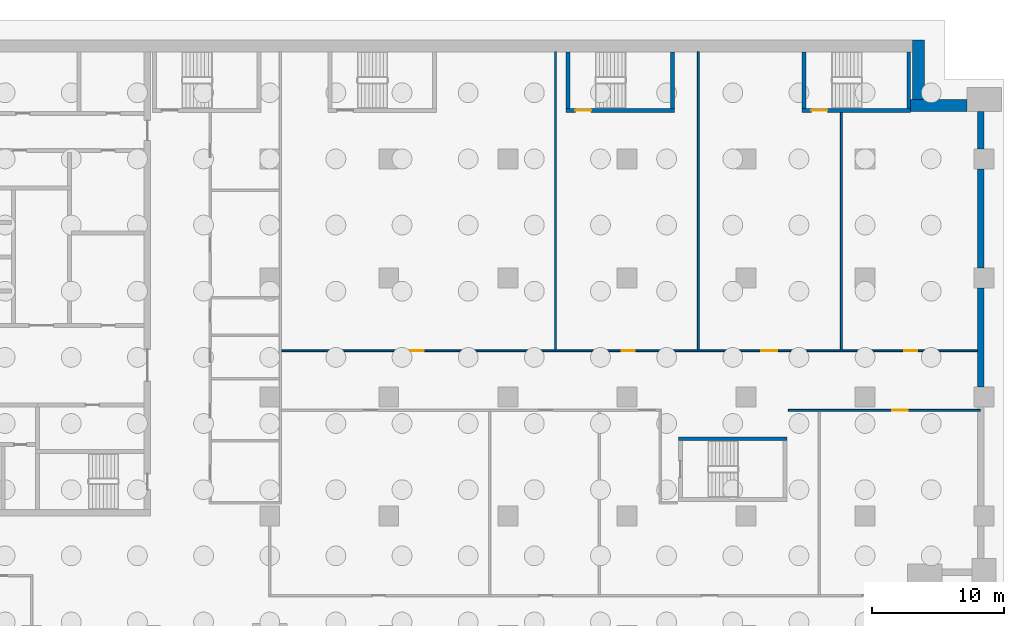
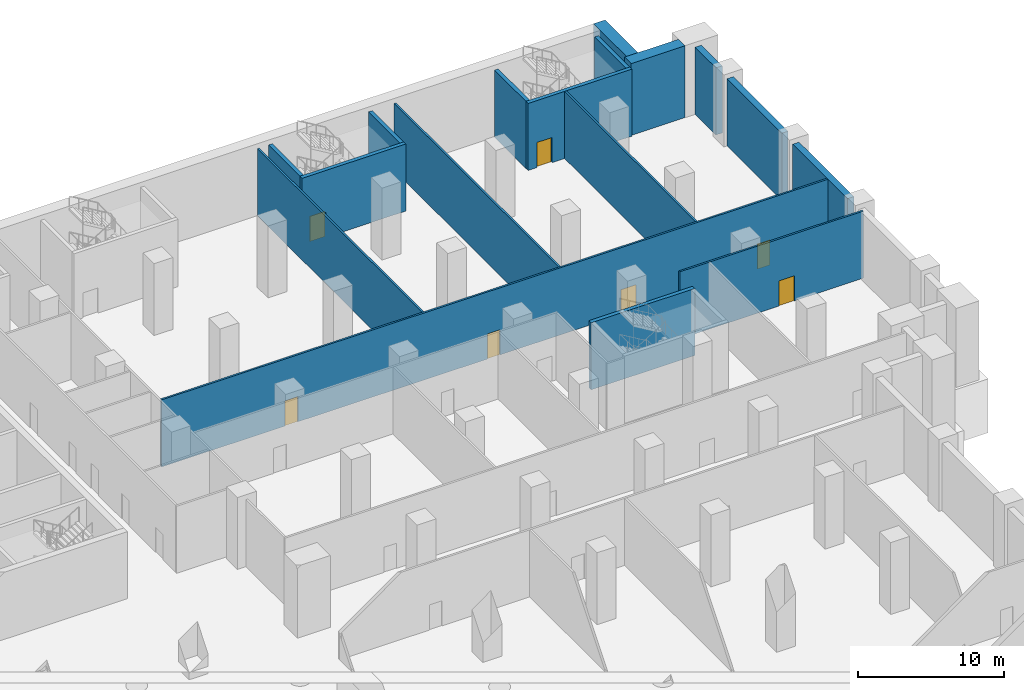
# One storey, part 10 of 25: 17 walls, 7 doors, 7 openings.
"""IFC4 building model written with IfcOpenShell, lengths in metres."""

from ifc_helpers import new_model, si_unit, direction, frame, frame_2d, origin, place, context, subcontext, project, spatial, rectangle, extrude, material, layer, layer_set, type_object, element, fill, save


model = new_model("IFC4")

# Units and contexts
model_context = context("Model", 3, precision=1e-05, world=origin(), true_north=direction((0.0, 1.0)))
body_context = subcontext(model_context, "Body", "Model", "MODEL_VIEW")
ifc_project = project(units=[si_unit("LENGTHUNIT", "METRE"), si_unit("AREAUNIT", "SQUARE_METRE"), si_unit("VOLUMEUNIT", "CUBIC_METRE"), si_unit("PLANEANGLEUNIT", "RADIAN"), si_unit("MASSUNIT", "GRAM", prefix="KILO")], contexts=[model_context])

# Site, building, storey
site_placement = place(None, origin())
site = spatial("IfcSite", under=ifc_project, at=site_placement, CompositionType="ELEMENT")
building_placement = place(site_placement, origin())
building = spatial("IfcBuilding", under=site, at=building_placement, Name="Hunhe Ridgeline Campus", CompositionType="ELEMENT")
storey_placement = place(building_placement, frame((0.0, 0.0, -6.0)))
storey = spatial("IfcBuildingStorey", under=building, at=storey_placement, Name="B1", CompositionType="ELEMENT", Elevation=-6.0)

# Walls
ifc_material_1 = material(Name="Concrete C50", Category="concrete")
ifc_layer_1 = layer(ifc_material_1, 0.5)
ifc_layer_set_1 = layer_set([ifc_layer_1], Name="Basement perimeter wall 500 C50")
wall_type_1 = type_object("IfcWallType", Name="Basement perimeter wall 500 C50", PredefinedType="SOLIDWALL", material=ifc_layer_set_1)
for number, where, z_axis, x_axis, name in (
    (1, (98.75, 72.75, 0.0), (0.0, 0.0, 1.0), (0.0, 1.0, 0.0), "Basement perimeter wall"),
    (2, (98.75, 81.75, 0.0), (0.0, 0.0, 1.0), (0.0, 1.0, 0.0), "Basement perimeter wall"),
):
    element("IfcWall", number, at=place(storey_placement, frame(where, z_axis=z_axis, x_axis=x_axis)), inside=storey, type_object=wall_type_1, Name=name, PredefinedType="SOLIDWALL", context=body_context, shape_type="SweptSolid", body=[
        extrude(rectangle(XDim=7.5, YDim=0.5, at=frame_2d((3.75, 0.0))), origin(), (0.0, 0.0, 1.0), 5.60009765625),
    ])
wall_1_placement = place(storey_placement, frame((98.75, 90.75, 0.0), z_axis=(0.0, 0.0, 1.0), x_axis=(0.0, 1.0, 0.0)))
element("IfcWall", 3, at=wall_1_placement, inside=storey, type_object=wall_type_1, Name="Basement perimeter wall", PredefinedType="SOLIDWALL", context=body_context, shape_type="SweptSolid", body=[
    extrude(rectangle(XDim=2.85009765625, YDim=0.5, at=frame_2d((1.425048828125, 0.0))), origin(), (0.0, 0.0, 1.0), 5.60009765625),
])

# Wall, opening, door
ifc_material_2 = material(Name="Plastered blockwork", Category="masonry")
ifc_layer_2 = layer(ifc_material_2, 0.14990234375)
ifc_layer_set_2 = layer_set([ifc_layer_2], Name="Blockwork partition 150")
wall_type_2 = type_object("IfcWallType", Name="Blockwork partition 150", PredefinedType="PARTITIONING", material=ifc_layer_set_2)
wall_2_placement = place(storey_placement, frame((84.199951171875, 71.0, 0.0), z_axis=(0.0, 0.0, 1.0), x_axis=(1.0, 0.0, 0.0)))
wall_2 = element("IfcWall", 4, at=wall_2_placement, inside=storey, type_object=wall_type_2, Name="B1 partition", PredefinedType="PARTITIONING", context=body_context, shape_type="SweptSolid", body=[
    extrude(rectangle(XDim=14.5, YDim=0.14990234375, at=frame_2d((7.25, 0.0))), origin(), (0.0, 0.0, 1.0), 5.60009765625),
])
opening_1_placement = place(wall_2_placement, frame((7.837890625, 0.0, 0.0)))
opening_1 = element("IfcOpeningElement", 5, at=opening_1_placement, cuts=wall_2, Name="Opening PD040", PredefinedType="OPENING", context=body_context, shape_type="SweptSolid", body=[
    extrude(rectangle(XDim=1.199951171875, YDim=2.10009765625, at=frame_2d((0.60009765625, 1.050048828125))), frame((0.0, 0.074951171875, 0.0), z_axis=(0.0, -1.0, 0.0), x_axis=(1.0, 0.0, 0.0)), (0.0, 0.0, 1.0), 0.14990234375),
])
ifc_material_3 = material(Name="Steel Q235", Category="steel")
door_type_1 = type_object("IfcDoorType", Name="Podium fire door 1200x2100 FD60", OperationType="NOTDEFINED", PredefinedType="DOOR", material=ifc_material_3)
door_1_placement = place(opening_1_placement, origin())
door_1 = element("IfcDoor", 6, at=door_1_placement, inside=storey, type_object=door_type_1, Name="Generator Plant Room door", OperationType="SINGLE_SWING_RIGHT", OverallHeight=2.10009765625, OverallWidth=1.199951171875, PredefinedType="DOOR", context=body_context, shape_type="SweptSolid", body=[
    extrude(rectangle(XDim=1.199951171875, YDim=2.10009765625, at=frame_2d((0.60009765625, 1.050048828125))), frame((0.0, 0.02490234375, 0.0), z_axis=(0.0, -1.0, 0.0), x_axis=(1.0, 0.0, 0.0)), (0.0, 0.0, 1.0), 0.050048828125),
])
fill(opening_1, door_1)

# Wall
wall_3_placement = place(storey_placement, frame((66.60009765625, 75.574951171875, 0.0), z_axis=(0.0, 0.0, 1.0), x_axis=(0.0, 1.0, 0.0)))
element("IfcWall", 7, at=wall_3_placement, inside=storey, type_object=wall_type_2, Name="B1 partition", PredefinedType="PARTITIONING", context=body_context, shape_type="SweptSolid", body=[
    extrude(rectangle(XDim=22.525146484375, YDim=0.14990234375, at=frame_2d((11.2626953125, 0.0))), origin(), (0.0, 0.0, 1.0), 5.60009765625),
])

# Wall, openings, doors
wall_4_placement = place(storey_placement, frame((98.699951171875, 75.5, 0.0), z_axis=(0.0, 0.0, 1.0), x_axis=(-1.0, 0.0, 0.0)))
wall_4 = element("IfcWall", 8, at=wall_4_placement, inside=storey, type_object=wall_type_2, Name="B1 partition", PredefinedType="PARTITIONING", context=body_context, shape_type="SweptSolid", body=[
    extrude(rectangle(XDim=52.824951171875, YDim=0.14990234375, at=frame_2d((26.41259765625, 0.0))), origin(), (0.0, 0.0, 1.0), 5.60009765625),
])
opening_2_placement = place(wall_4_placement, frame((42.074951171875, 0.0, 0.0)))
opening_2 = element("IfcOpeningElement", 9, at=opening_2_placement, cuts=wall_4, Name="Opening PD042", PredefinedType="OPENING", context=body_context, shape_type="SweptSolid", body=[
    extrude(rectangle(XDim=1.0, YDim=2.10009765625, at=frame_2d((0.5, 1.050048828125))), frame((0.0, 0.074951171875, 0.0), z_axis=(0.0, -1.0, 0.0), x_axis=(1.0, 0.0, 0.0)), (0.0, 0.0, 1.0), 0.14990234375),
])
opening_3_placement = place(wall_4_placement, frame((26.10009765625, 0.0, 0.0)))
opening_3 = element("IfcOpeningElement", 10, at=opening_3_placement, cuts=wall_4, Name="Opening PD043", PredefinedType="OPENING", context=body_context, shape_type="SweptSolid", body=[
    extrude(rectangle(XDim=1.0, YDim=2.10009765625, at=frame_2d((0.5, 1.050048828125))), frame((0.0, 0.074951171875, 0.0), z_axis=(0.0, -1.0, 0.0), x_axis=(1.0, 0.0, 0.0)), (0.0, 0.0, 1.0), 0.14990234375),
])
opening_4_placement = place(wall_4_placement, frame((15.35009765625, 0.0, 0.0)))
opening_4 = element("IfcOpeningElement", 11, at=opening_4_placement, cuts=wall_4, Name="Opening PD044", PredefinedType="OPENING", context=body_context, shape_type="SweptSolid", body=[
    extrude(rectangle(XDim=1.199951171875, YDim=2.10009765625, at=frame_2d((0.60009765625, 1.050048828125))), frame((0.0, 0.074951171875, 0.0), z_axis=(0.0, -1.0, 0.0), x_axis=(1.0, 0.0, 0.0)), (0.0, 0.0, 1.0), 0.14990234375),
])
opening_5_placement = place(wall_4_placement, frame((4.75, 0.0, 0.0)))
opening_5 = element("IfcOpeningElement", 12, at=opening_5_placement, cuts=wall_4, Name="Opening PD045", PredefinedType="OPENING", context=body_context, shape_type="SweptSolid", body=[
    extrude(rectangle(XDim=1.0, YDim=2.10009765625, at=frame_2d((0.5, 1.050048828125))), frame((0.0, 0.074951171875, 0.0), z_axis=(0.0, -1.0, 0.0), x_axis=(1.0, 0.0, 0.0)), (0.0, 0.0, 1.0), 0.14990234375),
])
door_2_placement = place(opening_4_placement, origin())
door_2 = element("IfcDoor", 13, at=door_2_placement, inside=storey, type_object=door_type_1, Name="Electrical Switch Room door", OperationType="SINGLE_SWING_LEFT", OverallHeight=2.10009765625, OverallWidth=1.199951171875, PredefinedType="DOOR", context=body_context, shape_type="SweptSolid", body=[
    extrude(rectangle(XDim=1.199951171875, YDim=2.10009765625, at=frame_2d((0.60009765625, 1.050048828125))), frame((0.0, 0.02490234375, 0.0), z_axis=(0.0, -1.0, 0.0), x_axis=(1.0, 0.0, 0.0)), (0.0, 0.0, 1.0), 0.050048828125),
])
fill(opening_4, door_2)
ifc_material_4 = material(Name="Timber", Category="wood")
door_type_2 = type_object("IfcDoorType", Name="Podium timber door 1000x2100", OperationType="NOTDEFINED", PredefinedType="DOOR", material=ifc_material_4)
door_3_placement = place(opening_2_placement, origin())
door_3 = element("IfcDoor", 14, at=door_3_placement, inside=storey, type_object=door_type_2, Name="Delivery Holding Store door", OperationType="SINGLE_SWING_RIGHT", OverallHeight=2.10009765625, OverallWidth=1.0, PredefinedType="DOOR", context=body_context, shape_type="SweptSolid", body=[
    extrude(rectangle(XDim=1.0, YDim=2.10009765625, at=frame_2d((0.5, 1.050048828125))), frame((0.0, 0.02490234375, 0.0), z_axis=(0.0, -1.0, 0.0), x_axis=(1.0, 0.0, 0.0)), (0.0, 0.0, 1.0), 0.050048828125),
])
fill(opening_2, door_3)
door_4_placement = place(opening_3_placement, origin())
door_4 = element("IfcDoor", 15, at=door_4_placement, inside=storey, type_object=door_type_2, Name="Refuse Compaction Room door", OperationType="SINGLE_SWING_RIGHT", OverallHeight=2.10009765625, OverallWidth=1.0, PredefinedType="DOOR", context=body_context, shape_type="SweptSolid", body=[
    extrude(rectangle(XDim=1.0, YDim=2.10009765625, at=frame_2d((0.5, 1.050048828125))), frame((0.0, 0.02490234375, 0.0), z_axis=(0.0, -1.0, 0.0), x_axis=(1.0, 0.0, 0.0)), (0.0, 0.0, 1.0), 0.050048828125),
])
fill(opening_3, door_4)
door_5_placement = place(opening_5_placement, origin())
door_5 = element("IfcDoor", 16, at=door_5_placement, inside=storey, type_object=door_type_2, Name="Records Archive Store door", OperationType="SINGLE_SWING_LEFT", OverallHeight=2.10009765625, OverallWidth=1.0, PredefinedType="DOOR", context=body_context, shape_type="SweptSolid", body=[
    extrude(rectangle(XDim=1.0, YDim=2.10009765625, at=frame_2d((0.5, 1.050048828125))), frame((0.0, 0.02490234375, 0.0), z_axis=(0.0, -1.0, 0.0), x_axis=(1.0, 0.0, 0.0)), (0.0, 0.0, 1.0), 0.050048828125),
])
fill(opening_5, door_5)

# Walls
wall_5_placement = place(storey_placement, frame((77.39990234375, 75.574951171875, 0.0), z_axis=(0.0, 0.0, 1.0), x_axis=(0.0, 1.0, 0.0)))
element("IfcWall", 17, at=wall_5_placement, inside=storey, type_object=wall_type_2, Name="B1 partition", PredefinedType="PARTITIONING", context=body_context, shape_type="SweptSolid", body=[
    extrude(rectangle(XDim=22.525146484375, YDim=0.14990234375, at=frame_2d((11.2626953125, 0.0))), origin(), (0.0, 0.0, 1.0), 5.60009765625),
])
wall_6_placement = place(storey_placement, frame((88.199951171875, 75.574951171875, 0.0), z_axis=(0.0, 0.0, 1.0), x_axis=(0.0, 1.0, 0.0)))
element("IfcWall", 18, at=wall_6_placement, inside=storey, type_object=wall_type_2, Name="B1 partition", PredefinedType="PARTITIONING", context=body_context, shape_type="SweptSolid", body=[
    extrude(rectangle(XDim=17.925048828125, YDim=0.14990234375, at=frame_2d((8.96240234375, 0.0))), origin(), (0.0, 0.0, 1.0), 5.60009765625),
])
ifc_material_5 = material(Name="Concrete C80", Category="concrete")
ifc_layer_3 = layer(ifc_material_5, 0.89990234375)
ifc_layer_set_3 = layer_set([ifc_layer_3], Name="Spine wall 900 Concrete C80")
wall_type_3 = type_object("IfcWallType", Name="Spine wall 900 Concrete C80", PredefinedType="SHEAR", material=ifc_layer_set_3)
wall_7_placement = place(storey_placement, frame((97.699951171875, 94.050048828125, 0.0), z_axis=(0.0, 0.0, 1.0), x_axis=(-1.0, 0.0, 0.0)))
element("IfcWall", 19, at=wall_7_placement, inside=storey, type_object=wall_type_3, Name="Spine wall SW1-2 B1", PredefinedType="SHEAR", context=body_context, shape_type="SweptSolid", body=[
    extrude(rectangle(XDim=4.25048828125, YDim=0.89990234375, at=frame_2d((2.125244140625, 0.0))), origin(), (0.0, 0.0, 1.0), 6.0),
])
wall_8_placement = place(storey_placement, frame((94.050048828125, 93.60009765625, 0.0), z_axis=(0.0, 0.0, 1.0), x_axis=(0.0, 1.0, 0.0)))
element("IfcWall", 20, at=wall_8_placement, inside=storey, type_object=wall_type_3, Name="Spine wall SW1-3 B1", PredefinedType="SHEAR", context=body_context, shape_type="SweptSolid", body=[
    extrude(rectangle(XDim=5.39990234375, YDim=0.89990234375, at=frame_2d((2.699951171875, 0.0))), origin(), (0.0, 0.0, 1.0), 6.0),
])
ifc_layer_4 = layer(ifc_material_5, 0.300048828125)
ifc_layer_set_4 = layer_set([ifc_layer_4], Name="Stair wall 300 reinforced concrete C80")
wall_type_4 = type_object("IfcWallType", Name="Stair wall 300 reinforced concrete C80", PredefinedType="SOLIDWALL", material=ifc_layer_set_4)
wall_9_placement = place(storey_placement, frame((75.89990234375, 68.85009765625, 0.0), z_axis=(0.0, 0.0, 1.0), x_axis=(1.0, 0.0, 0.0)))
element("IfcWall", 21, at=wall_9_placement, inside=storey, type_object=wall_type_4, Name="B1 core wall 11", PredefinedType="SOLIDWALL", context=body_context, shape_type="SweptSolid", body=[
    extrude(rectangle(XDim=8.2001953125, YDim=0.300048828125, at=frame_2d((4.10009765625, 0.0))), origin(), (0.0, 0.0, 1.0), 5.60009765625),
])

# Wall, opening, door
wall_10_placement = place(storey_placement, frame((67.39990234375, 93.64990234375, 0.0), z_axis=(0.0, 0.0, 1.0), x_axis=(1.0, 0.0, 0.0)))
wall_10 = element("IfcWall", 22, at=wall_10_placement, inside=storey, type_object=wall_type_4, Name="B1 core wall 34", PredefinedType="SOLIDWALL", context=body_context, shape_type="SweptSolid", body=[
    extrude(rectangle(XDim=8.2001953125, YDim=0.300048828125, at=frame_2d((4.10009765625, 0.0))), origin(), (0.0, 0.0, 1.0), 5.60009765625),
])
opening_6_placement = place(wall_10_placement, frame((0.699951171875, 0.0, 0.0)))
opening_6 = element("IfcOpeningElement", 23, at=opening_6_placement, cuts=wall_10, Name="Opening CD19", PredefinedType="OPENING", context=body_context, shape_type="SweptSolid", body=[
    extrude(rectangle(XDim=1.199951171875, YDim=2.10009765625, at=frame_2d((0.60009765625, 1.050048828125))), frame((0.0, 0.14990234375, 0.0), z_axis=(0.0, -1.0, 0.0), x_axis=(1.0, 0.0, 0.0)), (0.0, 0.0, 1.0), 0.300048828125),
])
ifc_material_6 = material(Name="Hollow metal fire door leaf")
door_type_3 = type_object("IfcDoorType", Name="Stair door 1200x2100 FD60", OperationType="SINGLE_SWING_LEFT", PredefinedType="DOOR", material=ifc_material_6)
door_6_placement = place(opening_6_placement, frame((1.199951171875, 0.0, 0.0), z_axis=(0.0, 0.0, 1.0), x_axis=(-1.0, 0.0, 0.0)))
door_6 = element("IfcDoor", 24, at=door_6_placement, inside=storey, type_object=door_type_3, Name="B1 door E3", OperationType="SINGLE_SWING_RIGHT", OverallHeight=2.10009765625, OverallWidth=1.199951171875, PredefinedType="DOOR", context=body_context, shape_type="SweptSolid", body=[
    extrude(rectangle(XDim=1.199951171875, YDim=2.10009765625, at=frame_2d((0.60009765625, 1.050048828125))), frame((0.0, 0.02490234375, 0.0), z_axis=(0.0, -1.0, 0.0), x_axis=(1.0, 0.0, 0.0)), (0.0, 0.0, 1.0), 0.050048828125),
])
fill(opening_6, door_6)

wall_11_placement = place(storey_placement, frame((85.25, 93.64990234375, 0.0), z_axis=(0.0, 0.0, 1.0), x_axis=(1.0, 0.0, 0.0)))
wall_11 = element("IfcWall", 25, at=wall_11_placement, inside=storey, type_object=wall_type_4, Name="B1 core wall 35", PredefinedType="SOLIDWALL", context=body_context, shape_type="SweptSolid", body=[
    extrude(rectangle(XDim=8.199951171875, YDim=0.300048828125, at=frame_2d((4.10009765625, 0.0))), origin(), (0.0, 0.0, 1.0), 5.60009765625),
])
opening_7_placement = place(wall_11_placement, frame((0.699951171875, 0.0, 0.0)))
opening_7 = element("IfcOpeningElement", 26, at=opening_7_placement, cuts=wall_11, Name="Opening CD20", PredefinedType="OPENING", context=body_context, shape_type="SweptSolid", body=[
    extrude(rectangle(XDim=1.199951171875, YDim=2.10009765625, at=frame_2d((0.60009765625, 1.050048828125))), frame((0.0, 0.14990234375, 0.0), z_axis=(0.0, -1.0, 0.0), x_axis=(1.0, 0.0, 0.0)), (0.0, 0.0, 1.0), 0.300048828125),
])
door_7_placement = place(opening_7_placement, frame((1.199951171875, 0.0, 0.0), z_axis=(0.0, 0.0, 1.0), x_axis=(-1.0, 0.0, 0.0)))
door_7 = element("IfcDoor", 27, at=door_7_placement, inside=storey, type_object=door_type_3, Name="B1 door E4", OperationType="SINGLE_SWING_LEFT", OverallHeight=2.10009765625, OverallWidth=1.199951171875, PredefinedType="DOOR", context=body_context, shape_type="SweptSolid", body=[
    extrude(rectangle(XDim=1.199951171875, YDim=2.10009765625, at=frame_2d((0.60009765625, 1.050048828125))), frame((0.0, 0.02490234375, 0.0), z_axis=(0.0, -1.0, 0.0), x_axis=(1.0, 0.0, 0.0)), (0.0, 0.0, 1.0), 0.050048828125),
])
fill(opening_7, door_7)

# Walls
for number, where, z_axis, x_axis, name in (
    (28, (67.550048828125, 93.800048828125, 0.0), (0.0, 0.0, 1.0), (0.0, 1.0, 0.0), "B1 core wall 69"),
    (29, (75.449951171875, 93.800048828125, 0.0), (0.0, 0.0, 1.0), (0.0, 1.0, 0.0), "B1 core wall 70"),
    (30, (85.39990234375, 93.800048828125, 0.0), (0.0, 0.0, 1.0), (0.0, 1.0, 0.0), "B1 core wall 73"),
    (31, (93.300048828125, 93.800048828125, 0.0), (0.0, 0.0, 1.0), (0.0, 1.0, 0.0), "B1 core wall 74"),
):
    element("IfcWall", number, at=place(storey_placement, frame(where, z_axis=z_axis, x_axis=x_axis)), inside=storey, type_object=wall_type_4, Name=name, PredefinedType="SOLIDWALL", context=body_context, shape_type="SweptSolid", body=[
        extrude(rectangle(XDim=4.300048828125, YDim=0.300048828125, at=frame_2d((2.14990234375, 0.0))), origin(), (0.0, 0.0, 1.0), 5.60009765625),
    ])

save(model, "model.ifc")
